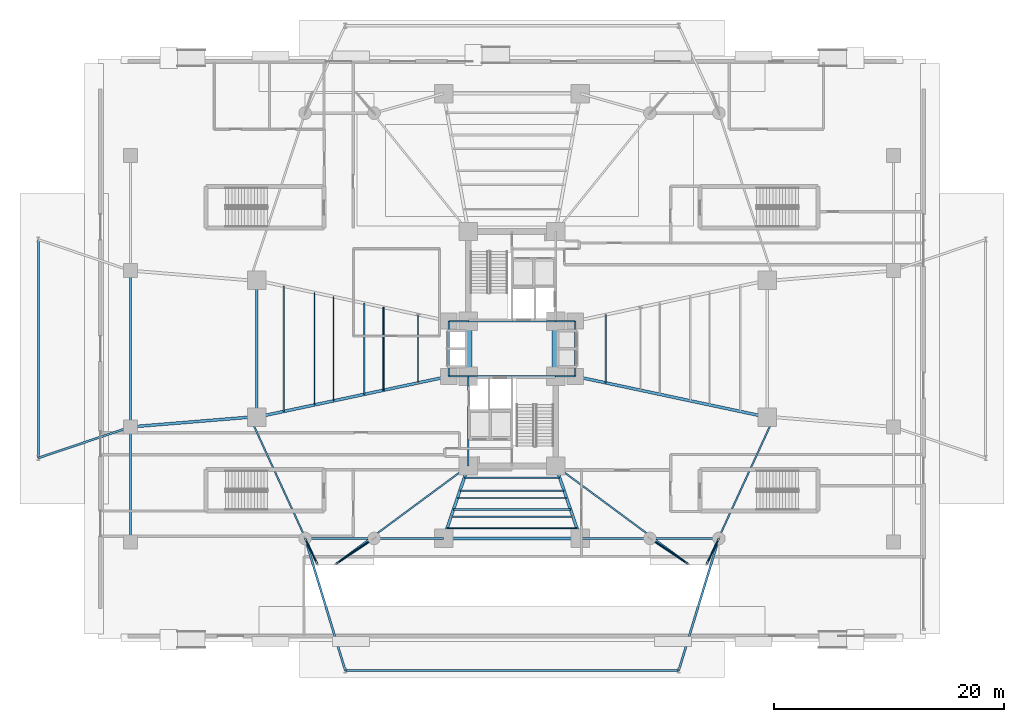
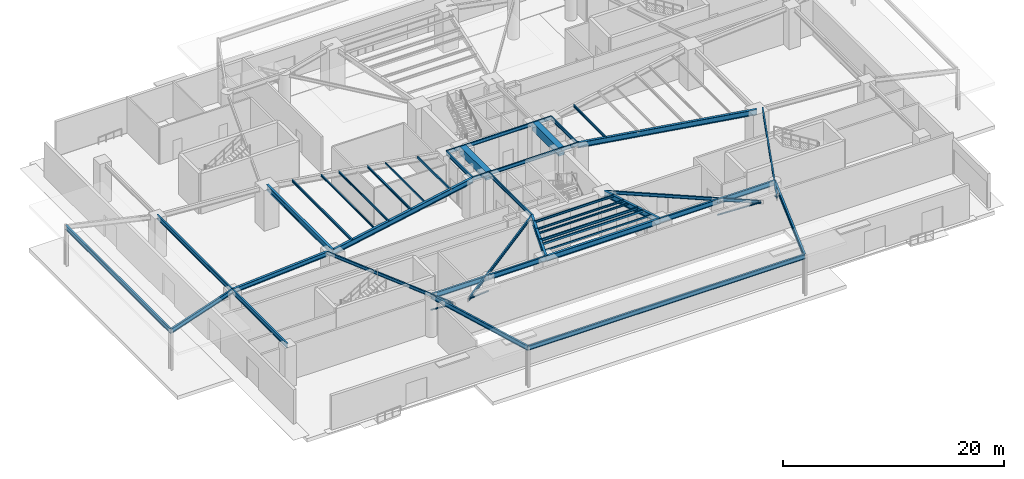
# One storey, part 10 of 31: 46 beams, 4 members.
"""IFC4 building model written with IfcOpenShell, lengths in metres."""

from ifc_helpers import new_model, si_unit, direction, frame, origin, origin_2d, place, context, subcontext, project, spatial, rectangle, hollow_rectangle, hollow_circle, i_section, extrude, source, transform, mapped, material, material_profile, profile_set, type_object, element, save


model = new_model("IFC4")

# Units and contexts
model_context = context("Model", 3, precision=1e-05, world=origin(), true_north=direction((0.0, 1.0)))
body_context = subcontext(model_context, "Body", "Model", "MODEL_VIEW")
ifc_project = project(units=[si_unit("LENGTHUNIT", "METRE"), si_unit("AREAUNIT", "SQUARE_METRE"), si_unit("VOLUMEUNIT", "CUBIC_METRE"), si_unit("PLANEANGLEUNIT", "RADIAN"), si_unit("MASSUNIT", "GRAM", prefix="KILO")], contexts=[model_context])

# Site, building, storey
site_placement = place(None, origin())
site = spatial("IfcSite", under=ifc_project, at=site_placement, CompositionType="ELEMENT")
building_placement = place(site_placement, origin())
building = spatial("IfcBuilding", under=site, at=building_placement, Name="Sahyath Konkavel Grand Hotel", CompositionType="ELEMENT")
storey_placement = place(building_placement, origin())
storey = spatial("IfcBuildingStorey", under=building, at=storey_placement, Name="L00", CompositionType="ELEMENT", Elevation=0.0)

# Beams
ifc_material_1 = material(Name="Steel E350", Category="steel")
ifc_material_profile_1 = material_profile(ifc_material_1, i_section(OverallWidth=0.179931640625, OverallDepth=0.5, WebThickness=0.01025390625, FlangeThickness=0.01708984375, FilletRadius=0.01708984375, at=origin_2d()), Name="ISMB 500")
ifc_profile_set_1 = profile_set([ifc_material_profile_1], Name="Steel E350")
beam_type_1 = type_object("IfcBeamType", Name="BM-ISMB500", PredefinedType="BEAM", material=ifc_profile_set_1)
shared_shape_1 = source(origin(), body_context, "Body", "SweptSolid", [
    extrude(i_section(OverallWidth=0.179931640625, OverallDepth=0.5, WebThickness=0.01025390625, FlangeThickness=0.01708984375, FilletRadius=0.01708984375, at=origin_2d()), origin(), (0.0, 0.0, 1.0), 19.0),
])
beam_1_placement = place(storey_placement, frame((-41.199951171875, -9.5, 4.22998046875), z_axis=(0.0, 1.0, 0.0), x_axis=(-1.0, 0.0, 0.0)))
element("IfcBeam", 1, at=beam_1_placement, inside=storey, type_object=beam_type_1, Name="L00 Metro Portal Wing Girder 04", PredefinedType="BEAM", context=body_context, shape_type="MappedRepresentation", body=[
    mapped(shared_shape_1, transform((0.0, 0.0, 0.0), scale=1.0)),
])
shared_shape_2 = source(origin(), body_context, "Body", "SweptSolid", [
    extrude(i_section(OverallWidth=0.179931640625, OverallDepth=0.5, WebThickness=0.01025390625, FlangeThickness=0.01708984375, FilletRadius=0.01708984375, at=origin_2d()), origin(), (0.0, 0.0, 1.0), 8.443359375),
])
beam_2_placement = place(storey_placement, frame((-41.199951171875, -9.5, 4.22998046875), z_axis=(0.947494031165, 0.319773452474, 0.0), x_axis=(-0.319773452474, 0.947494031165, 0.0)))
element("IfcBeam", 2, at=beam_2_placement, inside=storey, type_object=beam_type_1, Name="L00 Metro Portal Wing Girder 05", PredefinedType="BEAM", context=body_context, shape_type="MappedRepresentation", body=[
    mapped(shared_shape_2, transform((0.0, 0.0, 0.0), scale=1.0)),
])
shared_shape_3 = source(origin(), body_context, "Body", "SweptSolid", [
    extrude(i_section(OverallWidth=0.179931640625, OverallDepth=0.5, WebThickness=0.01025390625, FlangeThickness=0.01708984375, FilletRadius=0.01708984375, at=origin_2d()), origin(), (0.0, 0.0, 1.0), 29.0),
])
beam_3_placement = place(storey_placement, frame((-14.5, -28.0, 4.22998046875), z_axis=(1.0, 0.0, 0.0), x_axis=(0.0, 1.0, 0.0)))
element("IfcBeam", 3, at=beam_3_placement, inside=storey, type_object=beam_type_1, Name="L00 Metro Portal Wing Girder 10", PredefinedType="BEAM", context=body_context, shape_type="MappedRepresentation", body=[
    mapped(shared_shape_3, transform((0.0, 0.0, 0.0), scale=1.0)),
])
shared_shape_4 = source(origin(), body_context, "Body", "SweptSolid", [
    extrude(i_section(OverallWidth=0.179931640625, OverallDepth=0.5, WebThickness=0.01025390625, FlangeThickness=0.01708984375, FilletRadius=0.01708984375, at=origin_2d()), origin(), (0.0, 0.0, 1.0), 12.020751953125),
])
for number, where, z_axis, x_axis, name in (
    (4, (-14.5, -28.0, 4.22998046875), (-0.291161615783, 0.956673880429, 0.0), (-0.956673880429, -0.291161615783, 0.0), "L00 Metro Portal Wing Girder 11"),
    (5, (14.5, -28.0, 4.22998046875), (0.291161615783, 0.956673880429, 0.0), (-0.956673880429, 0.291161615783, 0.0), "L00 Metro Portal Wing Girder 12"),
):
    element("IfcBeam", number, at=place(storey_placement, frame(where, z_axis=z_axis, x_axis=x_axis)), inside=storey, type_object=beam_type_1, Name=name, PredefinedType="BEAM", context=body_context, shape_type="MappedRepresentation", body=[
        mapped(shared_shape_4, transform((0.0, 0.0, 0.0), scale=1.0)),
    ])
ifc_material_2 = material(Name="Concrete C70/85", Category="concrete")
ifc_material_profile_2 = material_profile(ifc_material_2, rectangle(XDim=0.60009765625, YDim=0.89990234375, at=origin_2d()), Name="RC 600x900")
ifc_profile_set_2 = profile_set([ifc_material_profile_2], Name="Concrete C70/85")
beam_type_2 = type_object("IfcBeamType", Name="BM-CB600x900", PredefinedType="LINTEL", material=ifc_profile_set_2)
shared_shape_5 = source(origin(), body_context, "Body", "SweptSolid", [
    extrude(rectangle(XDim=0.60009765625, YDim=0.89990234375, at=origin_2d()), origin(), (0.0, 0.0, 1.0), 4.7998046875),
])
for number, where, z_axis, x_axis, name in (
    (6, (-3.800048828125, -2.39990234375, 4.030029296875), (0.0, 1.0, 0.0), (-1.0, 0.0, 0.0), "L00 Split-Core Coupling Beam West"),
    (7, (3.800048828125, -2.39990234375, 4.030029296875), (0.0, 1.0, 0.0), (-1.0, 0.0, 0.0), "L00 Split-Core Coupling Beam East"),
):
    element("IfcBeam", number, at=place(storey_placement, frame(where, z_axis=z_axis, x_axis=x_axis)), inside=storey, type_object=beam_type_2, Name=name, PredefinedType="LINTEL", context=body_context, shape_type="MappedRepresentation", body=[
        mapped(shared_shape_5, transform((0.0, 0.0, 0.0), scale=1.0)),
    ])
ifc_material_profile_3 = material_profile(ifc_material_1, i_section(OverallWidth=0.139892578125, OverallDepth=0.39990234375, WebThickness=0.0087890625, FlangeThickness=0.01611328125, FilletRadius=0.013916015625, at=origin_2d()), Name="ISMB 400")
ifc_profile_set_3 = profile_set([ifc_material_profile_3], Name="Steel E350")
beam_type_3 = type_object("IfcBeamType", Name="BM-ISMB400", PredefinedType="BEAM", material=ifc_profile_set_3)
shared_shape_6 = source(origin(), body_context, "Body", "SweptSolid", [
    extrude(i_section(OverallWidth=0.139892578125, OverallDepth=0.39990234375, WebThickness=0.0087890625, FlangeThickness=0.01611328125, FilletRadius=0.013916015625, at=origin_2d()), origin(), (0.0, 0.0, 1.0), 7.60009765625),
])
for number, where, z_axis, x_axis, name in (
    (8, (-3.800048828125, 2.39990234375, 4.280029296875), (1.0, 0.0, 0.0), (0.0, 1.0, 0.0), "str:bm:L00:NC-S"),
    (9, (-3.800048828125, -2.39990234375, 4.280029296875), (1.0, 0.0, 0.0), (0.0, 1.0, 0.0), "str:bm:L00:SC-N"),
):
    element("IfcBeam", number, at=place(storey_placement, frame(where, z_axis=z_axis, x_axis=x_axis)), inside=storey, type_object=beam_type_3, Name=name, PredefinedType="BEAM", context=body_context, shape_type="MappedRepresentation", body=[
        mapped(shared_shape_6, transform((0.0, 0.0, 0.0), scale=1.0)),
    ])
shared_shape_7 = source(origin(), body_context, "Body", "SweptSolid", [
    extrude(i_section(OverallWidth=0.139892578125, OverallDepth=0.39990234375, WebThickness=0.0087890625, FlangeThickness=0.01611328125, FilletRadius=0.013916015625, at=origin_2d()), origin(), (0.0, 0.0, 1.0), 7.800048828125),
])
beam_4_placement = place(storey_placement, frame((-3.800048828125, -10.199951171875, 4.280029296875), z_axis=(0.0, 1.0, 0.0), x_axis=(-1.0, 0.0, 0.0)))
element("IfcBeam", 10, at=beam_4_placement, inside=storey, type_object=beam_type_3, Name="str:bm:L00:SC-W", PredefinedType="BEAM", context=body_context, shape_type="MappedRepresentation", body=[
    mapped(shared_shape_7, transform((0.0, 0.0, 0.0), scale=1.0)),
])
shared_shape_8 = source(origin(), body_context, "Body", "SweptSolid", [
    extrude(i_section(OverallWidth=0.139892578125, OverallDepth=0.39990234375, WebThickness=0.0087890625, FlangeThickness=0.01611328125, FilletRadius=0.013916015625, at=origin_2d()), origin(), (0.0, 0.0, 1.0), 1.699951171875),
])
for number, where, z_axis, x_axis, name in (
    (11, (-5.5, 2.39990234375, 4.280029296875), (1.0, 0.0, 0.0), (0.0, 1.0, 0.0), "str:bm:L00:HB-NW"),
    (12, (3.800048828125, 2.39990234375, 4.280029296875), (1.0, 0.0, 0.0), (0.0, 1.0, 0.0), "str:bm:L00:HB-NE"),
    (13, (-5.5, -2.39990234375, 4.280029296875), (1.0, 0.0, 0.0), (0.0, 1.0, 0.0), "str:bm:L00:HB-SW"),
    (14, (3.800048828125, -2.39990234375, 4.280029296875), (1.0, 0.0, 0.0), (0.0, 1.0, 0.0), "str:bm:L00:HB-SE"),
):
    element("IfcBeam", number, at=place(storey_placement, frame(where, z_axis=z_axis, x_axis=x_axis)), inside=storey, type_object=beam_type_3, Name=name, PredefinedType="BEAM", context=body_context, shape_type="MappedRepresentation", body=[
        mapped(shared_shape_8, transform((0.0, 0.0, 0.0), scale=1.0)),
    ])
shared_shape_9 = source(origin(), body_context, "Body", "SweptSolid", [
    extrude(i_section(OverallWidth=0.139892578125, OverallDepth=0.39990234375, WebThickness=0.0087890625, FlangeThickness=0.01611328125, FilletRadius=0.013916015625, at=origin_2d()), origin(), (0.0, 0.0, 1.0), 4.7998046875),
])
for number, where, z_axis, x_axis, name in (
    (15, (5.5, -2.39990234375, 4.280029296875), (0.0, 1.0, 0.0), (-1.0, 0.0, 0.0), "str:bm:L00:HB-E"),
    (16, (-5.5, -2.39990234375, 4.280029296875), (0.0, 1.0, 0.0), (-1.0, 0.0, 0.0), "str:bm:L00:HB-W"),
):
    element("IfcBeam", number, at=place(storey_placement, frame(where, z_axis=z_axis, x_axis=x_axis)), inside=storey, type_object=beam_type_3, Name=name, PredefinedType="BEAM", context=body_context, shape_type="MappedRepresentation", body=[
        mapped(shared_shape_9, transform((0.0, 0.0, 0.0), scale=1.0)),
    ])
ifc_material_profile_4 = material_profile(ifc_material_1, i_section(OverallWidth=0.18994140625, OverallDepth=0.550048828125, WebThickness=0.01123046875, FlangeThickness=0.019287109375, FilletRadius=0.01806640625, at=origin_2d()), Name="ISMB 550")
ifc_profile_set_4 = profile_set([ifc_material_profile_4], Name="Steel E350")
beam_type_4 = type_object("IfcBeamType", Name="BM-ISMB550", PredefinedType="BEAM", material=ifc_profile_set_4)
shared_shape_10 = source(origin(), body_context, "Body", "SweptSolid", [
    extrude(i_section(OverallWidth=0.18994140625, OverallDepth=0.550048828125, WebThickness=0.01123046875, FlangeThickness=0.019287109375, FilletRadius=0.01806640625, at=origin_2d()), origin(), (0.0, 0.0, 1.0), 6.0),
])
for number, where, z_axis, x_axis, name in (
    (17, (-18.0, -16.5, 4.205078125), (1.0, 0.0, 0.0), (0.0, 1.0, 0.0), "str:bm:L00:POD-05"),
    (18, (12.0, -16.5, 4.205078125), (1.0, 0.0, 0.0), (0.0, 1.0, 0.0), "str:bm:L00:POD-08"),
):
    element("IfcBeam", number, at=place(storey_placement, frame(where, z_axis=z_axis, x_axis=x_axis)), inside=storey, type_object=beam_type_4, Name=name, PredefinedType="BEAM", context=body_context, shape_type="MappedRepresentation", body=[
        mapped(shared_shape_10, transform((0.0, 0.0, 0.0), scale=1.0)),
    ])
shared_shape_11 = source(origin(), body_context, "Body", "SweptSolid", [
    extrude(i_section(OverallWidth=0.18994140625, OverallDepth=0.550048828125, WebThickness=0.01123046875, FlangeThickness=0.019287109375, FilletRadius=0.01806640625, at=origin_2d()), origin(), (0.0, 0.0, 1.0), 6.050048828125),
])
for number, where, z_axis, x_axis, name in (
    (19, (-12.0, -16.5, 4.205078125), (1.0, 0.0, 0.0), (0.0, 1.0, 0.0), "str:bm:L00:POD-06"),
    (20, (5.949951171875, -16.5, 4.205078125), (1.0, 0.0, 0.0), (0.0, 1.0, 0.0), "str:bm:L00:POD-07"),
):
    element("IfcBeam", number, at=place(storey_placement, frame(where, z_axis=z_axis, x_axis=x_axis)), inside=storey, type_object=beam_type_4, Name=name, PredefinedType="BEAM", context=body_context, shape_type="MappedRepresentation", body=[
        mapped(shared_shape_11, transform((0.0, 0.0, 0.0), scale=1.0)),
    ])
shared_shape_12 = source(origin(), body_context, "Body", "SweptSolid", [
    extrude(i_section(OverallWidth=0.179931640625, OverallDepth=0.5, WebThickness=0.01025390625, FlangeThickness=0.01708984375, FilletRadius=0.01708984375, at=origin_2d()), origin(), (0.0, 0.0, 1.0), 10.0),
])
beam_5_placement = place(storey_placement, frame((-33.199951171875, -16.800048828125, 4.22998046875), z_axis=(0.0, 1.0, 0.0), x_axis=(-1.0, 0.0, 0.0)))
element("IfcBeam", 21, at=beam_5_placement, inside=storey, type_object=beam_type_1, Name="str:bm:L00:POD-14", PredefinedType="BEAM", context=body_context, shape_type="MappedRepresentation", body=[
    mapped(shared_shape_12, transform((0.0, 0.0, 0.0), scale=1.0)),
])
ifc_material_profile_5 = material_profile(ifc_material_1, i_section(OverallWidth=0.25, OverallDepth=0.5, WebThickness=0.010009765625, FlangeThickness=0.0146484375, FilletRadius=0.014892578125, at=origin_2d()), Name="ISWB 500")
ifc_profile_set_5 = profile_set([ifc_material_profile_5], Name="Steel E350")
beam_type_5 = type_object("IfcBeamType", Name="BM-ISWB500", PredefinedType="BEAM", material=ifc_profile_set_5)
shared_shape_13 = source(origin(), body_context, "Body", "SweptSolid", [
    extrude(i_section(OverallWidth=0.25, OverallDepth=0.5, WebThickness=0.010009765625, FlangeThickness=0.0146484375, FilletRadius=0.014892578125, at=origin_2d()), origin(), (0.0, 0.0, 1.0), 10.4345703125),
])
beam_6_placement = place(storey_placement, frame((-33.199951171875, -6.800048828125, 4.22998046875), z_axis=(0.996675859081, 0.081469208445, 0.0), x_axis=(-0.081469208445, 0.996675859081, 0.0)))
element("IfcBeam", 22, at=beam_6_placement, inside=storey, type_object=beam_type_5, Name="str:bm:L00:POD-15", PredefinedType="BEAM", context=body_context, shape_type="MappedRepresentation", body=[
    mapped(shared_shape_13, transform((0.0, 0.0, 0.0), scale=1.0)),
])
shared_shape_14 = source(origin(), body_context, "Body", "SweptSolid", [
    extrude(i_section(OverallWidth=0.179931640625, OverallDepth=0.5, WebThickness=0.01025390625, FlangeThickness=0.01708984375, FilletRadius=0.01708984375, at=origin_2d()), origin(), (0.0, 0.0, 1.0), 13.60009765625),
])
beam_7_placement = place(storey_placement, frame((-33.199951171875, -6.800048828125, 4.22998046875), z_axis=(0.0, 1.0, 0.0), x_axis=(-1.0, 0.0, 0.0)))
element("IfcBeam", 23, at=beam_7_placement, inside=storey, type_object=beam_type_1, Name="str:bm:L00:POD-16", PredefinedType="BEAM", context=body_context, shape_type="MappedRepresentation", body=[
    mapped(shared_shape_14, transform((0.0, 0.0, 0.0), scale=1.0)),
])
ifc_material_profile_6 = material_profile(ifc_material_1, i_section(OverallWidth=0.25, OverallDepth=0.60009765625, WebThickness=0.01171875, FlangeThickness=0.023681640625, FilletRadius=0.01708984375, at=origin_2d()), Name="ISWB 600")
ifc_profile_set_6 = profile_set([ifc_material_profile_6], Name="Steel E350")
beam_type_6 = type_object("IfcBeamType", Name="BM-ISWB600", PredefinedType="BEAM", material=ifc_profile_set_6)
shared_shape_15 = source(origin(), body_context, "Body", "SweptSolid", [
    extrude(i_section(OverallWidth=0.25, OverallDepth=0.60009765625, WebThickness=0.01171875, FlangeThickness=0.023681640625, FilletRadius=0.01708984375, at=origin_2d()), origin(), (0.0, 0.0, 1.0), 17.072998046875),
])
for number, where, z_axis, x_axis, name in (
    (24, (5.5, -2.39990234375, 4.179931640625), (0.978143257225, -0.20793212437, 0.0), (0.20793212437, 0.978143257225, 0.0), "L00 Podium Primary Girder EA"),
    (25, (-5.5, -2.39990234375, 4.179931640625), (-0.978143257225, -0.20793212437, 0.0), (0.20793212437, -0.978143257225, 0.0), "L00 Podium Primary Girder WB"),
):
    element("IfcBeam", number, at=place(storey_placement, frame(where, z_axis=z_axis, x_axis=x_axis)), inside=storey, type_object=beam_type_6, Name=name, PredefinedType="BEAM", context=body_context, shape_type="MappedRepresentation", body=[
        mapped(shared_shape_15, transform((0.0, 0.0, 0.0), scale=1.0)),
    ])
shared_shape_16 = source(origin(), body_context, "Body", "SweptSolid", [
    extrude(i_section(OverallWidth=0.25, OverallDepth=0.60009765625, WebThickness=0.01171875, FlangeThickness=0.023681640625, FilletRadius=0.01708984375, at=origin_2d()), origin(), (0.0, 0.0, 1.0), 6.65673828125),
])
for number, where, z_axis, x_axis, name in (
    (26, (-3.800048828125, -10.199951171875, 4.179931640625), (-0.322964397437, -0.946411114679, 0.0), (0.946411114679, -0.322964397437, 0.0), "L00 Podium Primary Girder SA"),
    (27, (3.800048828125, -10.199951171875, 4.179931640625), (0.322964397437, -0.946411114679, 0.0), (0.946411114679, 0.322964397437, 0.0), "L00 Podium Primary Girder SB"),
):
    element("IfcBeam", number, at=place(storey_placement, frame(where, z_axis=z_axis, x_axis=x_axis)), inside=storey, type_object=beam_type_6, Name=name, PredefinedType="BEAM", context=body_context, shape_type="MappedRepresentation", body=[
        mapped(shared_shape_16, transform((0.0, 0.0, 0.0), scale=1.0)),
    ])
shared_shape_17 = source(origin(), body_context, "Body", "SweptSolid", [
    extrude(i_section(OverallWidth=0.25, OverallDepth=0.60009765625, WebThickness=0.01171875, FlangeThickness=0.023681640625, FilletRadius=0.01708984375, at=origin_2d()), origin(), (0.0, 0.0, 1.0), 11.89990234375),
])
for number, where, z_axis, x_axis, name in (
    (28, (-22.199951171875, 5.949951171875, 4.179931640625), (0.0, -1.0, 0.0), (1.0, 0.0, 0.0), "L00 Podium Primary Girder Tie W"),
    (29, (-5.949951171875, -16.5, 4.179931640625), (1.0, 0.0, 0.0), (0.0, 1.0, 0.0), "L00 Podium Primary Girder Tie S"),
):
    element("IfcBeam", number, at=place(storey_placement, frame(where, z_axis=z_axis, x_axis=x_axis)), inside=storey, type_object=beam_type_6, Name=name, PredefinedType="BEAM", context=body_context, shape_type="MappedRepresentation", body=[
        mapped(shared_shape_17, transform((0.0, 0.0, 0.0), scale=1.0)),
    ])
ifc_material_profile_7 = material_profile(ifc_material_1, i_section(OverallWidth=0.139892578125, OverallDepth=0.27490234375, WebThickness=0.00634765625, FlangeThickness=0.0087890625, FilletRadius=0.012939453125, at=origin_2d()), Name="ISLB 275")
ifc_profile_set_7 = profile_set([ifc_material_profile_7], Name="Steel E350")
beam_type_7 = type_object("IfcBeamType", Name="BM-ISLB275", PredefinedType="BEAM", material=ifc_profile_set_7)
shared_shape_18 = source(origin(), body_context, "Body", "SweptSolid", [
    extrude(i_section(OverallWidth=0.139892578125, OverallDepth=0.27490234375, WebThickness=0.00634765625, FlangeThickness=0.0087890625, FilletRadius=0.012939453125, at=origin_2d()), origin(), (0.0, 0.0, 1.0), 5.93603515625),
])
beam_8_placement = place(storey_placement, frame((8.172119140625, -2.968017578125, 4.342529296875), z_axis=(0.0, 1.0, 0.0), x_axis=(-1.0, 0.0, 0.0)))
element("IfcBeam", 30, at=beam_8_placement, inside=storey, type_object=beam_type_7, Name="L00 Composite Deck Sub-Beam E-1", PredefinedType="BEAM", context=body_context, shape_type="MappedRepresentation", body=[
    mapped(shared_shape_18, transform((0.0, 0.0, 0.0), scale=1.0)),
])
ifc_material_profile_8 = material_profile(ifc_material_1, hollow_rectangle(XDim=0.1201171875, YDim=0.219970703125, WallThickness=0.010009765625, at=origin_2d()), Name="RHS 220x120x10")
ifc_profile_set_8 = profile_set([ifc_material_profile_8], Name="Steel E350")
beam_type_8 = type_object("IfcBeamType", Name="BM-RHS220", PredefinedType="BEAM", material=ifc_profile_set_8)
shared_shape_19 = source(origin(), body_context, "Body", "SweptSolid", [
    extrude(hollow_rectangle(XDim=0.1201171875, YDim=0.219970703125, WallThickness=0.010009765625, at=origin_2d()), origin(), (0.0, 0.0, 1.0), 5.93603515625),
])
beam_9_placement = place(storey_placement, frame((-8.172119140625, 2.968017578125, 4.3701171875), z_axis=(0.0, -1.0, 0.0), x_axis=(1.0, 0.0, 0.0)))
element("IfcBeam", 31, at=beam_9_placement, inside=storey, type_object=beam_type_8, Name="L00 Composite Deck Sub-Beam W-1", PredefinedType="BEAM", context=body_context, shape_type="MappedRepresentation", body=[
    mapped(shared_shape_19, transform((0.0, 0.0, 0.0), scale=1.0)),
])
ifc_material_profile_9 = material_profile(ifc_material_1, hollow_rectangle(XDim=0.090087890625, YDim=0.179931640625, WallThickness=0.008056640625, at=origin_2d()), Name="RHS 180x90x8")
ifc_profile_set_9 = profile_set([ifc_material_profile_9], Name="Steel E350")
beam_type_9 = type_object("IfcBeamType", Name="BM-RHS180", PredefinedType="BEAM", material=ifc_profile_set_9)
shared_shape_20 = source(origin(), body_context, "Body", "SweptSolid", [
    extrude(hollow_rectangle(XDim=0.090087890625, YDim=0.179931640625, WallThickness=0.008056640625, at=origin_2d()), origin(), (0.0, 0.0, 1.0), 7.2138671875),
])
beam_10_placement = place(storey_placement, frame((-11.177978515625, 3.60693359375, 4.389892578125), z_axis=(0.0, -1.0, 0.0), x_axis=(1.0, 0.0, 0.0)))
element("IfcBeam", 32, at=beam_10_placement, inside=storey, type_object=beam_type_9, Name="L00 Composite Deck Sub-Beam W-2", PredefinedType="BEAM", context=body_context, shape_type="MappedRepresentation", body=[
    mapped(shared_shape_20, transform((0.0, 0.0, 0.0), scale=1.0)),
])
ifc_material_profile_10 = material_profile(ifc_material_1, i_section(OverallWidth=0.125, OverallDepth=0.25, WebThickness=0.0068359375, FlangeThickness=0.012451171875, FilletRadius=0.012939453125, at=origin_2d()), Name="ISMB 250")
ifc_profile_set_10 = profile_set([ifc_material_profile_10], Name="Steel E350")
beam_type_10 = type_object("IfcBeamType", Name="BM-ISMB250", PredefinedType="BEAM", material=ifc_profile_set_10)
shared_shape_21 = source(origin(), body_context, "Body", "SweptSolid", [
    extrude(i_section(OverallWidth=0.125, OverallDepth=0.25, WebThickness=0.0068359375, FlangeThickness=0.012451171875, FilletRadius=0.012939453125, at=origin_2d()), origin(), (0.0, 0.0, 1.0), 7.923828125),
])
beam_11_placement = place(storey_placement, frame((-12.847900390625, 3.9619140625, 4.35498046875), z_axis=(0.0, -1.0, 0.0), x_axis=(1.0, 0.0, 0.0)))
element("IfcBeam", 33, at=beam_11_placement, inside=storey, type_object=beam_type_10, Name="L00 Composite Deck Sub-Beam W-3", PredefinedType="BEAM", context=body_context, shape_type="MappedRepresentation", body=[
    mapped(shared_shape_21, transform((0.0, 0.0, 0.0), scale=1.0)),
])
ifc_material_profile_11 = material_profile(ifc_material_1, i_section(OverallWidth=0.110107421875, OverallDepth=0.22509765625, WebThickness=0.006591796875, FlangeThickness=0.01171875, FilletRadius=0.011962890625, at=origin_2d()), Name="ISMB 225")
ifc_profile_set_11 = profile_set([ifc_material_profile_11], Name="Steel E350")
beam_type_11 = type_object("IfcBeamType", Name="BM-ISMB225", PredefinedType="BEAM", material=ifc_profile_set_11)
shared_shape_22 = source(origin(), body_context, "Body", "SweptSolid", [
    extrude(i_section(OverallWidth=0.110107421875, OverallDepth=0.22509765625, WebThickness=0.006591796875, FlangeThickness=0.01171875, FilletRadius=0.011962890625, at=origin_2d()), origin(), (0.0, 0.0, 1.0), 9.06005859375),
])
beam_12_placement = place(storey_placement, frame((-15.52001953125, 4.530029296875, 4.367431640625), z_axis=(0.0, -1.0, 0.0), x_axis=(1.0, 0.0, 0.0)))
element("IfcBeam", 34, at=beam_12_placement, inside=storey, type_object=beam_type_11, Name="L00 Composite Deck Sub-Beam W-4", PredefinedType="BEAM", context=body_context, shape_type="MappedRepresentation", body=[
    mapped(shared_shape_22, transform((0.0, 0.0, 0.0), scale=1.0)),
])
ifc_material_profile_12 = material_profile(ifc_material_1, i_section(OverallWidth=0.10009765625, OverallDepth=0.199951171875, WebThickness=0.005615234375, FlangeThickness=0.0107421875, FilletRadius=0.010986328125, at=origin_2d()), Name="ISMB 200")
ifc_profile_set_12 = profile_set([ifc_material_profile_12], Name="Steel E350")
beam_type_12 = type_object("IfcBeamType", Name="BM-ISMB200", PredefinedType="BEAM", material=ifc_profile_set_12)
shared_shape_23 = source(origin(), body_context, "Body", "SweptSolid", [
    extrude(i_section(OverallWidth=0.10009765625, OverallDepth=0.199951171875, WebThickness=0.005615234375, FlangeThickness=0.0107421875, FilletRadius=0.010986328125, at=origin_2d()), origin(), (0.0, 0.0, 1.0), 9.77001953125),
])
beam_13_placement = place(storey_placement, frame((-17.18994140625, 4.885009765625, 4.3798828125), z_axis=(0.0, -1.0, 0.0), x_axis=(1.0, 0.0, 0.0)))
element("IfcBeam", 35, at=beam_13_placement, inside=storey, type_object=beam_type_12, Name="L00 Composite Deck Sub-Beam W-5", PredefinedType="BEAM", context=body_context, shape_type="MappedRepresentation", body=[
    mapped(shared_shape_23, transform((0.0, 0.0, 0.0), scale=1.0)),
])
shared_shape_24 = source(origin(), body_context, "Body", "SweptSolid", [
    extrude(i_section(OverallWidth=0.139892578125, OverallDepth=0.27490234375, WebThickness=0.00634765625, FlangeThickness=0.0087890625, FilletRadius=0.012939453125, at=origin_2d()), origin(), (0.0, 0.0, 1.0), 10.90576171875),
])
beam_14_placement = place(storey_placement, frame((-19.862060546875, 5.452880859375, 4.342529296875), z_axis=(0.0, -1.0, 0.0), x_axis=(1.0, 0.0, 0.0)))
element("IfcBeam", 36, at=beam_14_placement, inside=storey, type_object=beam_type_7, Name="L00 Composite Deck Sub-Beam W-6", PredefinedType="BEAM", context=body_context, shape_type="MappedRepresentation", body=[
    mapped(shared_shape_24, transform((0.0, 0.0, 0.0), scale=1.0)),
])
shared_shape_25 = source(origin(), body_context, "Body", "SweptSolid", [
    extrude(i_section(OverallWidth=0.125, OverallDepth=0.25, WebThickness=0.0068359375, FlangeThickness=0.012451171875, FilletRadius=0.012939453125, at=origin_2d()), origin(), (0.0, 0.0, 1.0), 8.2880859375),
])
beam_15_placement = place(storey_placement, frame((-4.14404296875, -11.2080078125, 4.35498046875), z_axis=(1.0, 0.0, 0.0), x_axis=(0.0, 1.0, 0.0)))
element("IfcBeam", 37, at=beam_15_placement, inside=storey, type_object=beam_type_10, Name="L00 Composite Deck Sub-Beam S-1", PredefinedType="BEAM", context=body_context, shape_type="MappedRepresentation", body=[
    mapped(shared_shape_25, transform((0.0, 0.0, 0.0), scale=1.0)),
])
shared_shape_26 = source(origin(), body_context, "Body", "SweptSolid", [
    extrude(i_section(OverallWidth=0.110107421875, OverallDepth=0.22509765625, WebThickness=0.006591796875, FlangeThickness=0.01171875, FilletRadius=0.011962890625, at=origin_2d()), origin(), (0.0, 0.0, 1.0), 9.06201171875),
])
beam_16_placement = place(storey_placement, frame((-4.531005859375, -12.342041015625, 4.367431640625), z_axis=(1.0, 0.0, 0.0), x_axis=(0.0, 1.0, 0.0)))
element("IfcBeam", 38, at=beam_16_placement, inside=storey, type_object=beam_type_11, Name="L00 Composite Deck Sub-Beam S-2", PredefinedType="BEAM", context=body_context, shape_type="MappedRepresentation", body=[
    mapped(shared_shape_26, transform((0.0, 0.0, 0.0), scale=1.0)),
])
shared_shape_27 = source(origin(), body_context, "Body", "SweptSolid", [
    extrude(i_section(OverallWidth=0.10009765625, OverallDepth=0.199951171875, WebThickness=0.005615234375, FlangeThickness=0.0107421875, FilletRadius=0.010986328125, at=origin_2d()), origin(), (0.0, 0.0, 1.0), 9.4921875),
])
beam_17_placement = place(storey_placement, frame((-4.74609375, -12.971923828125, 4.3798828125), z_axis=(1.0, 0.0, 0.0), x_axis=(0.0, 1.0, 0.0)))
element("IfcBeam", 39, at=beam_17_placement, inside=storey, type_object=beam_type_12, Name="L00 Composite Deck Sub-Beam S-3", PredefinedType="BEAM", context=body_context, shape_type="MappedRepresentation", body=[
    mapped(shared_shape_27, transform((0.0, 0.0, 0.0), scale=1.0)),
])
shared_shape_28 = source(origin(), body_context, "Body", "SweptSolid", [
    extrude(i_section(OverallWidth=0.139892578125, OverallDepth=0.27490234375, WebThickness=0.00634765625, FlangeThickness=0.0087890625, FilletRadius=0.012939453125, at=origin_2d()), origin(), (0.0, 0.0, 1.0), 10.18017578125),
])
beam_18_placement = place(storey_placement, frame((-5.090087890625, -13.97998046875, 4.342529296875), z_axis=(1.0, 0.0, 0.0), x_axis=(0.0, 1.0, 0.0)))
element("IfcBeam", 40, at=beam_18_placement, inside=storey, type_object=beam_type_7, Name="L00 Composite Deck Sub-Beam S-4", PredefinedType="BEAM", context=body_context, shape_type="MappedRepresentation", body=[
    mapped(shared_shape_28, transform((0.0, 0.0, 0.0), scale=1.0)),
])
shared_shape_29 = source(origin(), body_context, "Body", "SweptSolid", [
    extrude(hollow_rectangle(XDim=0.1201171875, YDim=0.219970703125, WallThickness=0.010009765625, at=origin_2d()), origin(), (0.0, 0.0, 1.0), 10.60986328125),
])
beam_19_placement = place(storey_placement, frame((-5.304931640625, -14.610107421875, 4.3701171875), z_axis=(1.0, 0.0, 0.0), x_axis=(0.0, 1.0, 0.0)))
element("IfcBeam", 41, at=beam_19_placement, inside=storey, type_object=beam_type_8, Name="L00 Composite Deck Sub-Beam S-5", PredefinedType="BEAM", context=body_context, shape_type="MappedRepresentation", body=[
    mapped(shared_shape_29, transform((0.0, 0.0, 0.0), scale=1.0)),
])
shared_shape_30 = source(origin(), body_context, "Body", "SweptSolid", [
    extrude(hollow_rectangle(XDim=0.090087890625, YDim=0.179931640625, WallThickness=0.008056640625, at=origin_2d()), origin(), (0.0, 0.0, 1.0), 11.2978515625),
])
beam_20_placement = place(storey_placement, frame((-5.64892578125, -15.617919921875, 4.389892578125), z_axis=(1.0, 0.0, 0.0), x_axis=(0.0, 1.0, 0.0)))
element("IfcBeam", 42, at=beam_20_placement, inside=storey, type_object=beam_type_9, Name="L00 Composite Deck Sub-Beam S-6", PredefinedType="BEAM", context=body_context, shape_type="MappedRepresentation", body=[
    mapped(shared_shape_30, transform((0.0, 0.0, 0.0), scale=1.0)),
])
ifc_material_profile_13 = material_profile(ifc_material_1, i_section(OverallWidth=0.139892578125, OverallDepth=0.35009765625, WebThickness=0.008056640625, FlangeThickness=0.01416015625, FilletRadius=0.013916015625, at=origin_2d()), Name="ISMB 350")
ifc_profile_set_13 = profile_set([ifc_material_profile_13], Name="Steel E350")
beam_type_13 = type_object("IfcBeamType", Name="BM-BALC-CANT", PredefinedType="BEAM", material=ifc_profile_set_13)
shared_shape_31 = source(origin(), body_context, "Body", "SweptSolid", [
    extrude(i_section(OverallWidth=0.139892578125, OverallDepth=0.35009765625, WebThickness=0.008056640625, FlangeThickness=0.01416015625, FilletRadius=0.013916015625, at=origin_2d()), origin(), (0.0, 0.0, 1.0), 14.028076171875),
])
for number, where, z_axis, x_axis, name in (
    (43, (-22.800048828125, -5.949951171875, 4.304931640625), (0.417028618622, -0.908893355268, 0.0), (0.908893355268, 0.417028618622, 0.0), "Monsoon Canopy Cantilever Beam S-West-1"),
    (44, (22.800048828125, -5.949951171875, 4.304931640625), (-0.417028618622, -0.908893355268, 0.0), (0.908893355268, -0.417028618622, 0.0), "Monsoon Canopy Cantilever Beam S-East-2"),
):
    element("IfcBeam", number, at=place(storey_placement, frame(where, z_axis=z_axis, x_axis=x_axis)), inside=storey, type_object=beam_type_13, Name=name, PredefinedType="BEAM", context=body_context, shape_type="MappedRepresentation", body=[
        mapped(shared_shape_31, transform((0.0, 0.0, 0.0), scale=1.0)),
    ])

# Members
ifc_material_profile_14 = material_profile(ifc_material_1, hollow_circle(Radius=0.084228515625, WallThickness=0.008056640625, at=origin_2d()), Name="CHS 168.3x8")
ifc_profile_set_14 = profile_set([ifc_material_profile_14], Name="Steel E350")
member_type = type_object("IfcMemberType", Name="BR-CHS168", PredefinedType="STRUT", material=ifc_profile_set_14)
shared_shape_32 = source(origin(), body_context, "Body", "SweptSolid", [
    extrude(hollow_circle(Radius=0.084228515625, WallThickness=0.008056640625, at=origin_2d()), origin(), (0.0, 0.0, 1.0), 2.918701171875),
])
for number, where, z_axis, x_axis, name in (
    (45, (-18.0, -16.5, 2.699951171875), (0.359775639907, -0.753763843573, 0.549910499128), (0.902469534941, 0.430753686581, 0.0), "Monsoon Canopy Knee Strut S-West-1"),
    (46, (18.0, -16.5, 2.699951171875), (-0.359775639907, -0.753763843573, 0.549910499128), (0.902469534941, -0.430753686581, 0.0), "Monsoon Canopy Knee Strut S-East-2"),
):
    element("IfcMember", number, at=place(storey_placement, frame(where, z_axis=z_axis, x_axis=x_axis)), inside=storey, type_object=member_type, Name=name, PredefinedType="STRUT", context=body_context, shape_type="MappedRepresentation", body=[
        mapped(shared_shape_32, transform((0.0, 0.0, 0.0), scale=1.0)),
    ])

# Beams
shared_shape_33 = source(origin(), body_context, "Body", "SweptSolid", [
    extrude(i_section(OverallWidth=0.139892578125, OverallDepth=0.35009765625, WebThickness=0.008056640625, FlangeThickness=0.01416015625, FilletRadius=0.013916015625, at=origin_2d()), origin(), (0.0, 0.0, 1.0), 14.30029296875),
])
for number, where, z_axis, x_axis, name in (
    (47, (-3.800048828125, -10.199951171875, 4.304931640625), (-0.804176141466, -0.594391061084, 0.0), (0.594391061084, -0.804176141466, 0.0), "Monsoon Canopy Cantilever Beam S-West-2"),
    (48, (3.800048828125, -10.199951171875, 4.304931640625), (0.804176141466, -0.594391061084, 0.0), (0.594391061084, 0.804176141466, 0.0), "Monsoon Canopy Cantilever Beam S-East-1"),
):
    element("IfcBeam", number, at=place(storey_placement, frame(where, z_axis=z_axis, x_axis=x_axis)), inside=storey, type_object=beam_type_13, Name=name, PredefinedType="BEAM", context=body_context, shape_type="MappedRepresentation", body=[
        mapped(shared_shape_33, transform((0.0, 0.0, 0.0), scale=1.0)),
    ])

# Members
shared_shape_34 = source(origin(), body_context, "Body", "SweptSolid", [
    extrude(hollow_circle(Radius=0.084228515625, WallThickness=0.008056640625, at=origin_2d()), origin(), (0.0, 0.0, 1.0), 4.278564453125),
])
for number, where, z_axis, x_axis, name in (
    (49, (-12.0, -16.5, 2.699951171875), (-0.77129907345, -0.51418036183, 0.375121706655), (0.554685990789, -0.832059764454, 0.0), "Monsoon Canopy Knee Strut S-West-2"),
    (50, (12.0, -16.5, 2.699951171875), (0.77129907345, -0.51418036183, 0.375121706655), (0.554685990789, 0.832059764454, 0.0), "Monsoon Canopy Knee Strut S-East-1"),
):
    element("IfcMember", number, at=place(storey_placement, frame(where, z_axis=z_axis, x_axis=x_axis)), inside=storey, type_object=member_type, Name=name, PredefinedType="STRUT", context=body_context, shape_type="MappedRepresentation", body=[
        mapped(shared_shape_34, transform((0.0, 0.0, 0.0), scale=1.0)),
    ])

save(model, "model.ifc")
